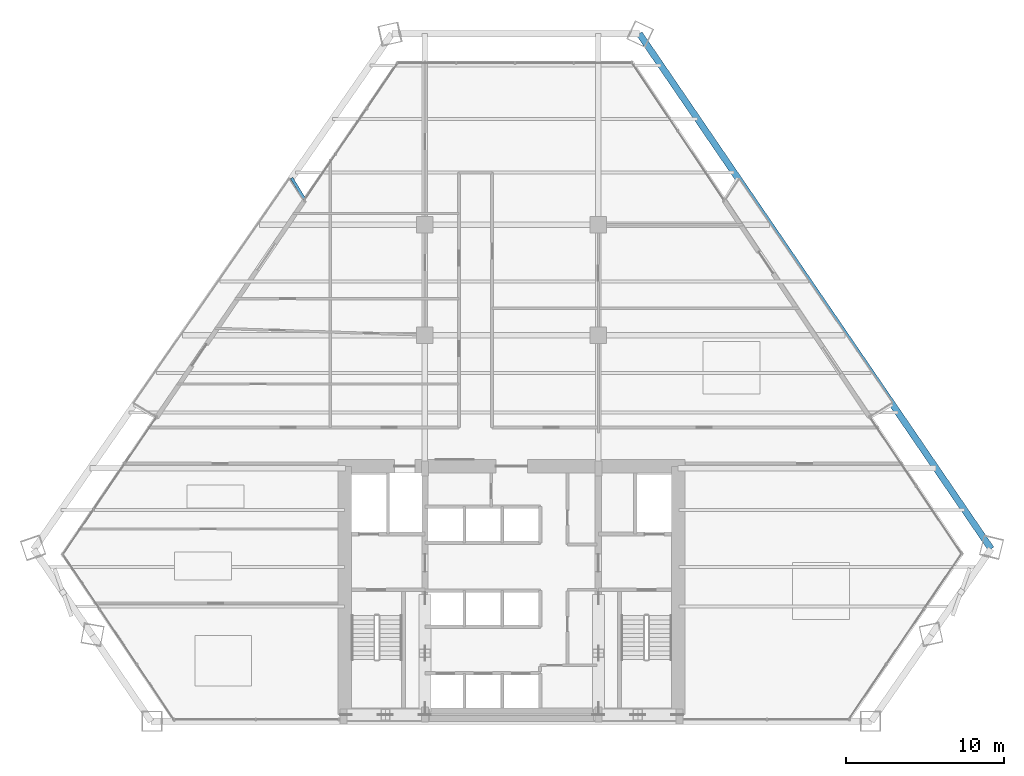
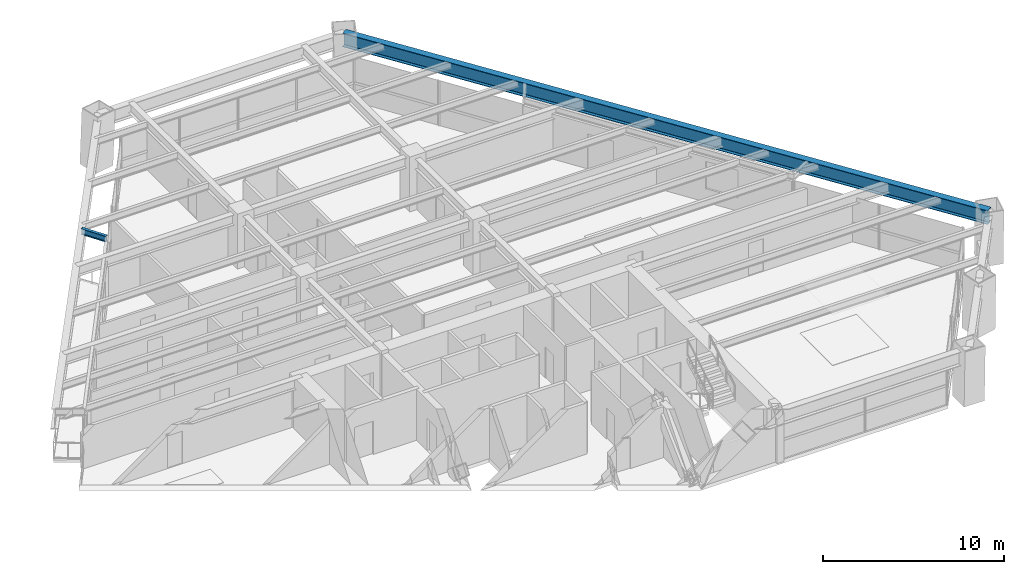
# One storey, part 7 of 14: 2 beams.
"""IFC4 building model written with IfcOpenShell, lengths in metres."""

from ifc_helpers import new_model, si_unit, direction, frame, origin, origin_2d, place, context, subcontext, project, spatial, i_section, extrude, source, transform, mapped, material, material_profile, profile_set, type_object, element, save


model = new_model("IFC4")

# Units and contexts
model_context = context("Model", 3, precision=1e-05, world=origin(), true_north=direction((0.0, 1.0)))
body_context = subcontext(model_context, "Body", "Model", "MODEL_VIEW")
ifc_project = project(units=[si_unit("LENGTHUNIT", "METRE"), si_unit("AREAUNIT", "SQUARE_METRE"), si_unit("VOLUMEUNIT", "CUBIC_METRE"), si_unit("PLANEANGLEUNIT", "RADIAN"), si_unit("MASSUNIT", "GRAM", prefix="KILO")], contexts=[model_context])

# Site, building, storey
site_placement = place(None, origin())
site = spatial("IfcSite", under=ifc_project, at=site_placement, CompositionType="ELEMENT")
building_placement = place(site_placement, origin())
building = spatial("IfcBuilding", under=site, at=building_placement, Name="Varnakhor Terracotta Tower", CompositionType="ELEMENT")
storey_placement = place(building_placement, frame((0.0, 0.0, 46.0)))
storey = spatial("IfcBuildingStorey", under=building, at=storey_placement, Name="L10", CompositionType="ELEMENT", Elevation=46.0)

# Beams
ifc_material = material(Name="Steel S355", Category="steel")
ifc_material_profile_1 = material_profile(ifc_material, i_section(OverallWidth=0.41796875, OverallDepth=0.927001953125, WebThickness=0.01904296875, FlangeThickness=0.031982421875, FilletRadius=0.01806640625, at=origin_2d()), Name="W36X231")
ifc_profile_set_1 = profile_set([ifc_material_profile_1], Name="Steel S355")
beam_type_1 = type_object("IfcBeamType", Name="BM-W36X231", PredefinedType="BEAM", material=ifc_profile_set_1)
shared_shape_1 = source(origin(), body_context, "Body", "SweptSolid", [
    extrude(i_section(OverallWidth=0.41796875, OverallDepth=0.927001953125, WebThickness=0.01904296875, FlangeThickness=0.031982421875, FilletRadius=0.01806640625, at=origin_2d()), origin(), (0.0, 0.0, 1.0), 39.56591796875),
])
beam_1_placement = place(storey_placement, frame((30.406982421875, 10.941162109375, 2.986572265625), z_axis=(-0.563958361899, 0.825803224772, 0.0), x_axis=(-0.825803224772, -0.563958361899, 0.0)))
element("IfcBeam", 1, at=beam_1_placement, inside=storey, type_object=beam_type_1, Name="L10 Perimeter Spandrel 4", PredefinedType="BEAM", context=body_context, shape_type="MappedRepresentation", body=[
    mapped(shared_shape_1, transform((0.0, 0.0, 0.0), scale=1.0)),
])
ifc_material_profile_2 = material_profile(ifc_material, i_section(OverallWidth=0.179931640625, OverallDepth=0.39990234375, WebThickness=0.008544921875, FlangeThickness=0.013427734375, FilletRadius=0.01806640625, at=origin_2d()), Name="IPE400")
ifc_profile_set_2 = profile_set([ifc_material_profile_2], Name="Steel S355")
beam_type_2 = type_object("IfcBeamType", Name="JST-IPE400", PredefinedType="JOIST", material=ifc_profile_set_2)
shared_shape_2 = source(origin(), body_context, "Body", "SweptSolid", [
    extrude(i_section(OverallWidth=0.179931640625, OverallDepth=0.39990234375, WebThickness=0.008544921875, FlangeThickness=0.013427734375, FilletRadius=0.01806640625, at=origin_2d()), origin(), (0.0, 0.0, 1.0), 1.577880859375),
])
beam_2_placement = place(storey_placement, frame((-13.12939453125, 33.107421875, 3.25), z_axis=(-0.520942991398, 0.853591471204, 0.0), x_axis=(-0.853591471204, -0.520942991398, 0.0)))
element("IfcBeam", 2, at=beam_2_placement, inside=storey, type_object=beam_type_2, Name="L11 W Loggia Tie Beam 2", PredefinedType="JOIST", context=body_context, shape_type="MappedRepresentation", body=[
    mapped(shared_shape_2, transform((0.0, 0.0, 0.0), scale=1.0)),
])

save(model, "model.ifc")
